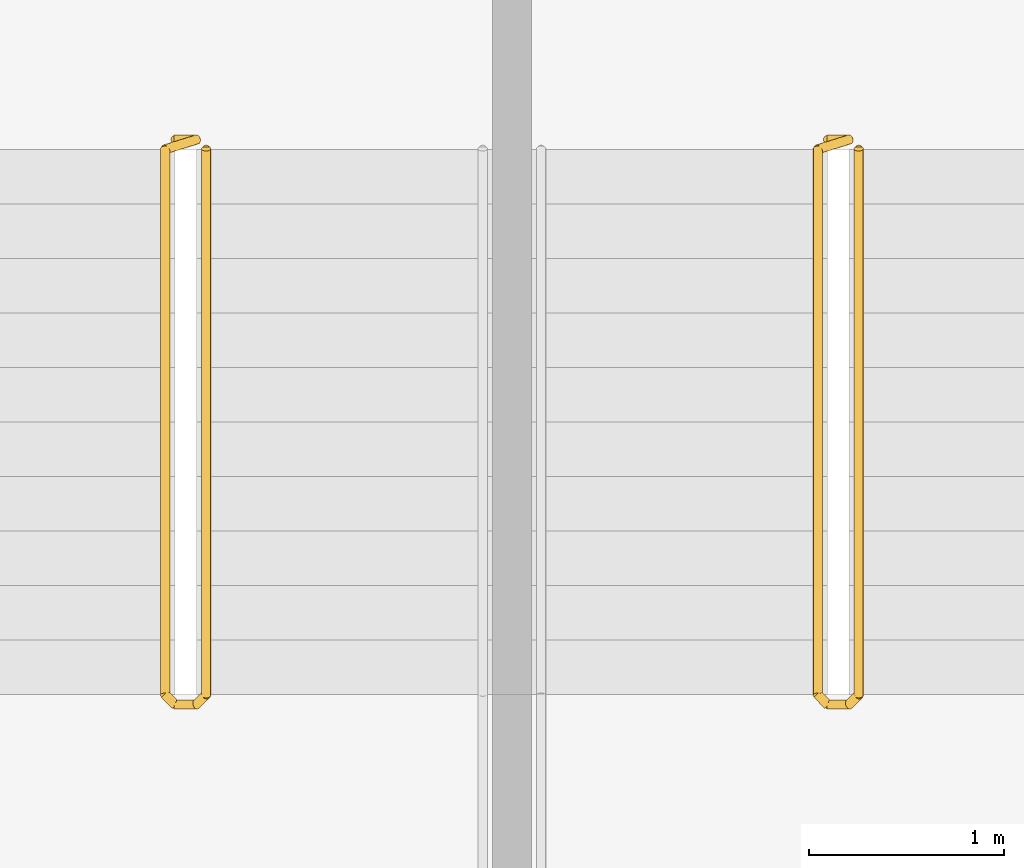
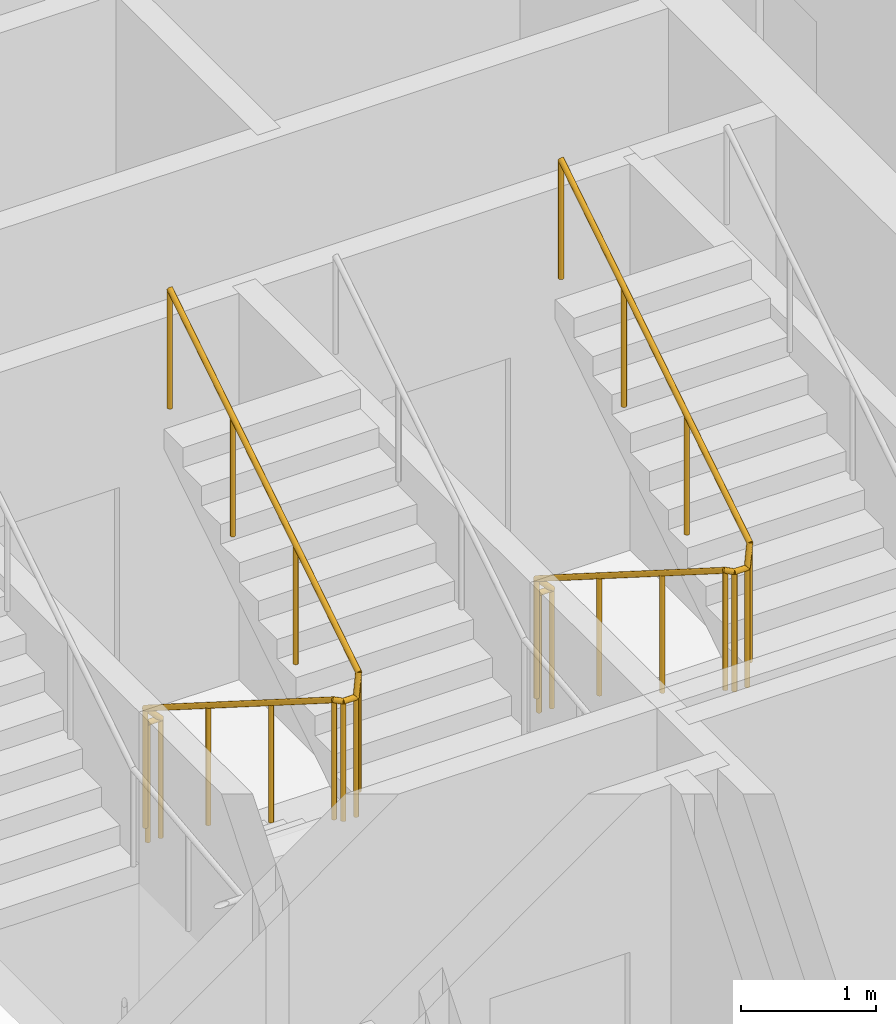
# One storey, part 14 of 14: 2 railings.
"""IFC4 building model written with IfcOpenShell, lengths in metres."""

from ifc_helpers import new_model, si_unit, direction, frame, origin, origin_2d, place, context, subcontext, project, spatial, circle, extrude, material, type_object, element, save


model = new_model("IFC4")

# Units and contexts
model_context = context("Model", 3, precision=1e-05, world=origin(), true_north=direction((0.0, 1.0)))
body_context = subcontext(model_context, "Body", "Model", "MODEL_VIEW")
ifc_project = project(units=[si_unit("LENGTHUNIT", "METRE"), si_unit("AREAUNIT", "SQUARE_METRE"), si_unit("VOLUMEUNIT", "CUBIC_METRE"), si_unit("PLANEANGLEUNIT", "RADIAN"), si_unit("MASSUNIT", "GRAM", prefix="KILO")], contexts=[model_context])

# Site, building, storey
site_placement = place(None, origin())
site = spatial("IfcSite", under=ifc_project, at=site_placement, CompositionType="ELEMENT")
building_placement = place(site_placement, origin())
building = spatial("IfcBuilding", under=site, at=building_placement, Name="Tessera Arch", CompositionType="ELEMENT")
storey_placement = place(building_placement, frame((0.0, 0.0, 226.699951171875)))
storey = spatial("IfcBuildingStorey", under=building, at=storey_placement, Name="L54", CompositionType="ELEMENT", Elevation=226.699951171875)

# Railings
ifc_material = material(Name="Painted steel balustrade", Category="steel")
railing_type = type_object("IfcRailingType", Name="Stair guard 1100", PredefinedType="GUARDRAIL", material=ifc_material)
railing_1_placement = place(storey_placement, frame((41.570068359375, 43.6298828125, 0.0)))
element("IfcRailing", 1, at=railing_1_placement, inside=storey, type_object=railing_type, Name="L54 S1b stair guard 1", PredefinedType="GUARDRAIL", context=body_context, shape_type="SweptSolid", body=[
    extrude(circle(Radius=0.02392578125, at=origin_2d()), frame((-0.00390625, 0.0, 1.076171875), z_axis=(1.0, 0.0, 0.0), x_axis=(0.0, 1.0, 0.0)), (0.0, 0.0, 1.0), 0.117919921875),
    extrude(circle(Radius=0.02392578125, at=origin_2d()), frame((0.112548828125, 0.000732421875, 1.0732421875), z_axis=(-0.65574896516, -0.204233265485, 0.726830150696), x_axis=(0.297361876254, -0.954764847777, 0.0)), (0.0, 0.0, 1.0), 0.251953125),
    extrude(circle(Radius=0.02392578125, at=origin_2d()), frame((-0.050048828125, -0.04638671875, 1.251220703125), z_axis=(0.0, -0.844908973607, 0.534910110503), x_axis=(1.0, 0.0, 0.0)), (0.0, 0.0, 1.0), 3.322021484375),
    extrude(circle(Radius=0.02392578125, at=origin_2d()), frame((-0.052978515625, -2.846923828125, 3.02587890625), z_axis=(0.707106781187, -0.707106781187, 0.0), x_axis=(0.707106781187, 0.707106781187, 0.0)), (0.0, 0.0, 1.0), 0.078857421875),
    extrude(circle(Radius=0.02392578125, at=origin_2d()), frame((-0.00390625, -2.89990234375, 3.02587890625), z_axis=(1.0, 0.0, 0.0), x_axis=(0.0, 1.0, 0.0)), (0.0, 0.0, 1.0), 0.117919921875),
    extrude(circle(Radius=0.02392578125, at=origin_2d()), frame((0.10888671875, -2.90087890625, 3.022216796875), z_axis=(0.261922500866, 0.261922500866, 0.928866625022), x_axis=(-0.707106781187, 0.707106781187, 0.0)), (0.0, 0.0, 1.0), 0.198974609375),
    extrude(circle(Radius=0.02392578125, at=origin_2d()), frame((0.159912109375, -2.853271484375, 3.201416015625), z_axis=(0.0, 0.844908973607, 0.534910110503), x_axis=(-1.0, 0.0, 0.0)), (0.0, 0.0, 1.0), 3.322021484375),
    extrude(circle(Radius=0.02099609375, at=origin_2d()), origin(), (0.0, 0.0, 1.0), 1.06396484375),
    extrude(circle(Radius=0.02099609375, at=origin_2d()), frame((0.10986328125, 0.0, 0.0)), (0.0, 0.0, 1.0), 1.06396484375),
    extrude(circle(Radius=0.02099609375, at=origin_2d()), frame((-0.050048828125, -0.0498046875, 0.17724609375)), (0.0, 0.0, 1.0), 1.06396484375),
    extrude(circle(Radius=0.02099609375, at=origin_2d()), frame((-0.050048828125, -0.983154296875, 0.76806640625)), (0.0, 0.0, 1.0), 1.06396484375),
    extrude(circle(Radius=0.02099609375, at=origin_2d()), frame((-0.050048828125, -1.91650390625, 1.359130859375)), (0.0, 0.0, 1.0), 1.06396484375),
    extrude(circle(Radius=0.02099609375, at=origin_2d()), frame((-0.050048828125, -2.849853515625, 1.949951171875)), (0.0, 0.0, 1.0), 1.06396484375),
    extrude(circle(Radius=0.02099609375, at=origin_2d()), frame((0.0, -2.89990234375, 1.949951171875)), (0.0, 0.0, 1.0), 1.06396484375),
    extrude(circle(Radius=0.02099609375, at=origin_2d()), frame((0.10986328125, -2.89990234375, 1.949951171875)), (0.0, 0.0, 1.0), 1.06396484375),
    extrude(circle(Radius=0.02099609375, at=origin_2d()), frame((0.159912109375, -2.849853515625, 2.12744140625)), (0.0, 0.0, 1.0), 1.06396484375),
    extrude(circle(Radius=0.02099609375, at=origin_2d()), frame((0.159912109375, -1.91650390625, 2.71826171875)), (0.0, 0.0, 1.0), 1.06396484375),
    extrude(circle(Radius=0.02099609375, at=origin_2d()), frame((0.159912109375, -0.983154296875, 3.309326171875)), (0.0, 0.0, 1.0), 1.06396484375),
    extrude(circle(Radius=0.02099609375, at=origin_2d()), frame((0.159912109375, -0.0498046875, 3.900146484375)), (0.0, 0.0, 1.0), 1.06396484375),
])
railing_2_placement = place(storey_placement, frame((44.919921875, 43.6298828125, 0.0)))
element("IfcRailing", 2, at=railing_2_placement, inside=storey, type_object=railing_type, Name="L54 S1c stair guard 1", PredefinedType="GUARDRAIL", context=body_context, shape_type="SweptSolid", body=[
    extrude(circle(Radius=0.02392578125, at=origin_2d()), frame((-0.00390625, 0.0, 1.076171875), z_axis=(1.0, 0.0, 0.0), x_axis=(0.0, 1.0, 0.0)), (0.0, 0.0, 1.0), 0.1181640625),
    extrude(circle(Radius=0.02392578125, at=origin_2d()), frame((0.11279296875, 0.000732421875, 1.0732421875), z_axis=(-0.65574896516, -0.204233265485, 0.726830150696), x_axis=(0.297361876254, -0.954764847777, 0.0)), (0.0, 0.0, 1.0), 0.251953125),
    extrude(circle(Radius=0.02392578125, at=origin_2d()), frame((-0.0498046875, -0.04638671875, 1.251220703125), z_axis=(0.0, -0.844908973607, 0.534910110503), x_axis=(1.0, 0.0, 0.0)), (0.0, 0.0, 1.0), 3.322021484375),
    extrude(circle(Radius=0.02392578125, at=origin_2d()), frame((-0.052734375, -2.846923828125, 3.02587890625), z_axis=(0.705375805398, -0.708833529934, 0.0), x_axis=(0.708833529934, 0.705375805398, 0.0)), (0.0, 0.0, 1.0), 0.07861328125),
    extrude(circle(Radius=0.02392578125, at=origin_2d()), frame((-0.00390625, -2.89990234375, 3.02587890625), z_axis=(1.0, 0.0, 0.0), x_axis=(0.0, 1.0, 0.0)), (0.0, 0.0, 1.0), 0.1181640625),
    extrude(circle(Radius=0.02392578125, at=origin_2d()), frame((0.109130859375, -2.90087890625, 3.022216796875), z_axis=(0.261922500866, 0.261922500866, 0.928866625022), x_axis=(-0.707106781187, 0.707106781187, 0.0)), (0.0, 0.0, 1.0), 0.198974609375),
    extrude(circle(Radius=0.02392578125, at=origin_2d()), frame((0.16015625, -2.853271484375, 3.201416015625), z_axis=(0.0, 0.844908973607, 0.534910110503), x_axis=(-1.0, 0.0, 0.0)), (0.0, 0.0, 1.0), 3.322021484375),
    extrude(circle(Radius=0.02099609375, at=origin_2d()), origin(), (0.0, 0.0, 1.0), 1.06396484375),
    extrude(circle(Radius=0.02099609375, at=origin_2d()), frame((0.110107421875, 0.0, 0.0)), (0.0, 0.0, 1.0), 1.06396484375),
    extrude(circle(Radius=0.02099609375, at=origin_2d()), frame((-0.0498046875, -0.0498046875, 0.17724609375)), (0.0, 0.0, 1.0), 1.06396484375),
    extrude(circle(Radius=0.02099609375, at=origin_2d()), frame((-0.0498046875, -0.983154296875, 0.76806640625)), (0.0, 0.0, 1.0), 1.06396484375),
    extrude(circle(Radius=0.02099609375, at=origin_2d()), frame((-0.0498046875, -1.91650390625, 1.359130859375)), (0.0, 0.0, 1.0), 1.06396484375),
    extrude(circle(Radius=0.02099609375, at=origin_2d()), frame((-0.0498046875, -2.849853515625, 1.949951171875)), (0.0, 0.0, 1.0), 1.06396484375),
    extrude(circle(Radius=0.02099609375, at=origin_2d()), frame((0.0, -2.89990234375, 1.949951171875)), (0.0, 0.0, 1.0), 1.06396484375),
    extrude(circle(Radius=0.02099609375, at=origin_2d()), frame((0.110107421875, -2.89990234375, 1.949951171875)), (0.0, 0.0, 1.0), 1.06396484375),
    extrude(circle(Radius=0.02099609375, at=origin_2d()), frame((0.16015625, -2.849853515625, 2.12744140625)), (0.0, 0.0, 1.0), 1.06396484375),
    extrude(circle(Radius=0.02099609375, at=origin_2d()), frame((0.16015625, -1.91650390625, 2.71826171875)), (0.0, 0.0, 1.0), 1.06396484375),
    extrude(circle(Radius=0.02099609375, at=origin_2d()), frame((0.16015625, -0.983154296875, 3.309326171875)), (0.0, 0.0, 1.0), 1.06396484375),
    extrude(circle(Radius=0.02099609375, at=origin_2d()), frame((0.16015625, -0.0498046875, 3.900146484375)), (0.0, 0.0, 1.0), 1.06396484375),
])

save(model, "model.ifc")
